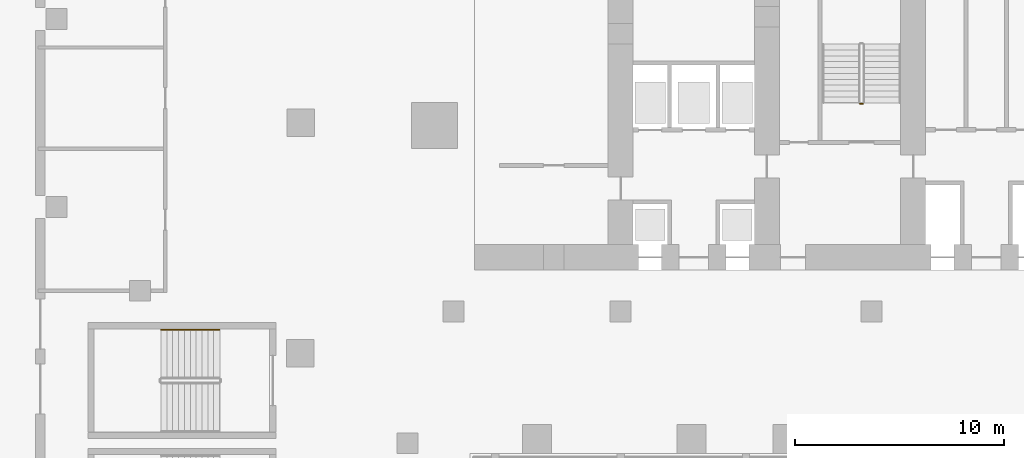
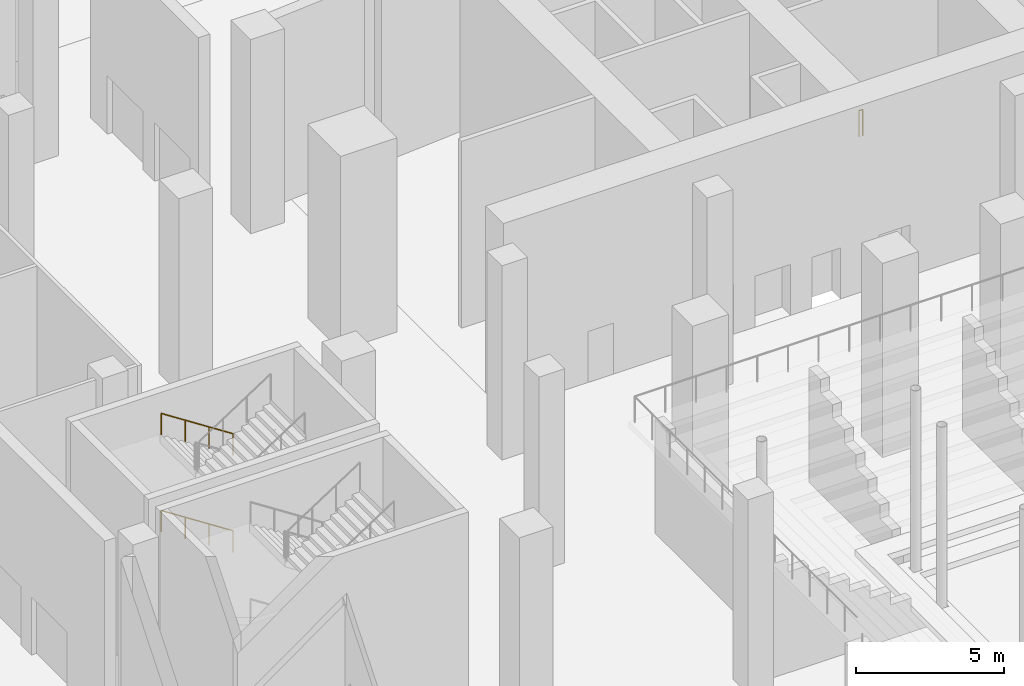
# One storey, part 38 of 41: 3 railings.
"""IFC4 building model written with IfcOpenShell, lengths in metres."""

from ifc_helpers import new_model, si_unit, direction, frame, origin, origin_2d, place, context, subcontext, project, spatial, circle, extrude, material, type_object, element, save


model = new_model("IFC4")

# Units and contexts
model_context = context("Model", 3, precision=1e-05, world=origin(), true_north=direction((0.0, 1.0)))
body_context = subcontext(model_context, "Body", "Model", "MODEL_VIEW")
ifc_project = project(units=[si_unit("LENGTHUNIT", "METRE"), si_unit("AREAUNIT", "SQUARE_METRE"), si_unit("VOLUMEUNIT", "CUBIC_METRE"), si_unit("PLANEANGLEUNIT", "RADIAN"), si_unit("MASSUNIT", "GRAM", prefix="KILO")], contexts=[model_context])

# Site, building, storey
site_placement = place(None, origin())
site = spatial("IfcSite", under=ifc_project, at=site_placement, CompositionType="ELEMENT")
building_placement = place(site_placement, origin())
building = spatial("IfcBuilding", under=site, at=building_placement, Name="Wharfspan Tower", CompositionType="ELEMENT")
storey_placement = place(building_placement, origin())
storey = spatial("IfcBuildingStorey", under=building, at=storey_placement, Name="L00", CompositionType="ELEMENT", Elevation=0.0)

# Railings
ifc_material = material(Name="Steel S355J2", Category="steel")
railing_type_1 = type_object("IfcRailingType", Name="Podium stair handrail 900", PredefinedType="HANDRAIL", material=ifc_material)
for number, where, name in (
    (1, (-3.199951, 31.125, 0.181885), "L00 PS3 stair handrail 1"),
    (2, (-3.199951, 31.125, 4.181885), "L00 PS3 stair handrail 3"),
):
    element("IfcRailing", number, at=place(storey_placement, frame(where)), inside=storey, type_object=railing_type_1, Name=name, PredefinedType="HANDRAIL", context=body_context, shape_type="SweptSolid", body=[
        extrude(circle(Radius=0.023926, at=origin_2d()), frame((0.0, 0.0, 0.875977), z_axis=(-0.838706, 0.0, 0.544585), x_axis=(0.0, -1.0, 0.0)), (0.0, 0.0, 1.0), 3.338623),
        extrude(circle(Radius=0.020996, at=origin_2d()), origin(), (0.0, 0.0, 1.0), 0.851807),
        extrude(circle(Radius=0.020996, at=origin_2d()), frame((-0.93335, 0.0, 0.605957)), (0.0, 0.0, 1.0), 0.851807),
        extrude(circle(Radius=0.020996, at=origin_2d()), frame((-1.866699, 0.0, 1.212158)), (0.0, 0.0, 1.0), 0.851807),
        extrude(circle(Radius=0.020996, at=origin_2d()), frame((-2.800049, 0.0, 1.818115)), (0.0, 0.0, 1.0), 0.851807),
    ])
railing_type_2 = type_object("IfcRailingType", Name="Stair guard 1100", PredefinedType="GUARDRAIL", material=ifc_material)
railing_placement = place(storey_placement, frame((27.600098, 41.949951, 0.0)))
element("IfcRailing", 3, at=railing_placement, inside=storey, type_object=railing_type_2, Name="L00 ST1 stair guard 2", PredefinedType="GUARDRAIL", context=body_context, shape_type="SweptSolid", body=[
    extrude(circle(Radius=0.023926, at=origin_2d()), frame((0.0, 0.0, 1.076172), z_axis=(-1.0, 0.0, 0.0), x_axis=(0.0, -1.0, 0.0)), (0.0, 0.0, 1.0), 0.150146),
    extrude(circle(Radius=0.020996, at=origin_2d()), origin(), (0.0, 0.0, 1.0), 1.052002),
    extrude(circle(Radius=0.020996, at=origin_2d()), frame((-0.150146, 0.0, 0.0)), (0.0, 0.0, 1.0), 1.052002),
])

save(model, "model.ifc")
